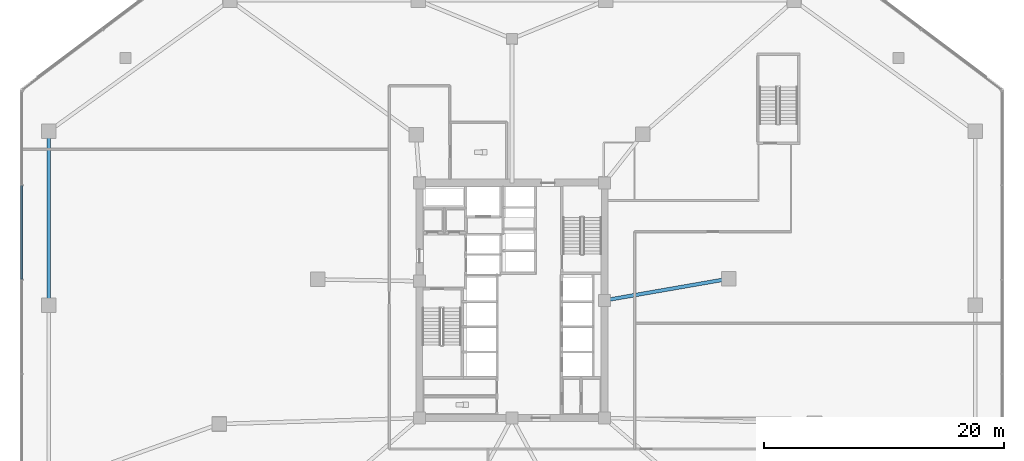
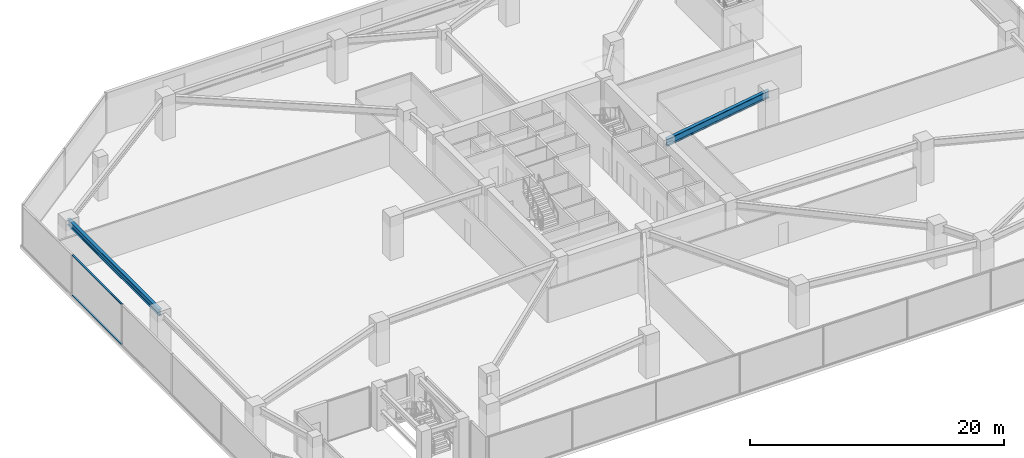
# One storey, part 5 of 21: 2 beams, 2 members, 1 element without a shape of its own.
"""IFC4 building model written with IfcOpenShell, lengths in metres."""

from ifc_helpers import new_model, si_unit, direction, frame, origin, origin_2d, place, context, subcontext, project, spatial, rectangle, i_section, extrude, material, material_profile, profile_set, type_object, element, aggregate, save


model = new_model("IFC4")

# Units and contexts
model_context = context("Model", 3, precision=1e-05, world=origin(), true_north=direction((0.0, 1.0)))
body_context = subcontext(model_context, "Body", "Model", "MODEL_VIEW")
ifc_project = project(units=[si_unit("LENGTHUNIT", "METRE"), si_unit("AREAUNIT", "SQUARE_METRE"), si_unit("VOLUMEUNIT", "CUBIC_METRE"), si_unit("PLANEANGLEUNIT", "RADIAN"), si_unit("MASSUNIT", "GRAM", prefix="KILO")], contexts=[model_context])

# Site, building, storey
site_placement = place(None, origin())
site = spatial("IfcSite", under=ifc_project, at=site_placement, CompositionType="ELEMENT")
building_placement = place(site_placement, origin())
building = spatial("IfcBuilding", under=site, at=building_placement, Name="Savorim Split Tower", CompositionType="ELEMENT")
storey_placement = place(building_placement, frame((0.0, 0.0, 9.199951171875)))
storey = spatial("IfcBuildingStorey", under=building, at=storey_placement, Name="L02", CompositionType="ELEMENT", Elevation=9.199951171875)

# Beams
ifc_material_1 = material(Name="Steel S355", Category="steel")
ifc_material_profile_1 = material_profile(ifc_material_1, i_section(OverallWidth=0.300048828125, OverallDepth=0.699951171875, WebThickness=0.01708984375, FlangeThickness=0.031982421875, FilletRadius=0.027099609375, at=origin_2d()), Name="HEB 700")
ifc_profile_set_1 = profile_set([ifc_material_profile_1], Name="Steel S355")
beam_type_1 = type_object("IfcBeamType", Name="BM-PRI-HEB700", PredefinedType="BEAM", material=ifc_profile_set_1)
beam_1_placement = place(storey_placement, frame((18.049560546875, 2.202392578125, 3.570068359375), z_axis=(-0.985170620197, -0.171577530876, 0.0), x_axis=(0.171577530876, -0.985170620197, 0.0)))
element("IfcBeam", 1, at=beam_1_placement, inside=storey, type_object=beam_type_1, Name="L02 Podium Primary Girder BG-27", PredefinedType="BEAM", context=body_context, shape_type="SweptSolid", body=[
    extrude(i_section(OverallWidth=0.300048828125, OverallDepth=0.699951171875, WebThickness=0.01708984375, FlangeThickness=0.031982421875, FilletRadius=0.027099609375, at=origin_2d()), origin(), (0.0, 0.0, 1.0), 10.50537109375),
])
ifc_material_profile_2 = material_profile(ifc_material_1, i_section(OverallWidth=0.300048828125, OverallDepth=0.590087890625, WebThickness=0.012939453125, FlangeThickness=0.02490234375, FilletRadius=0.027099609375, at=origin_2d()), Name="HEA 600")
ifc_profile_set_2 = profile_set([ifc_material_profile_2], Name="Steel S355")
beam_type_2 = type_object("IfcBeamType", Name="BM-SPN-HEA600", PredefinedType="SPANDREL", material=ifc_profile_set_2)
beam_2_placement = place(storey_placement, frame((-38.60009765625, 14.5, 3.625), z_axis=(0.0, -1.0, 0.0), x_axis=(1.0, 0.0, 0.0)))
element("IfcBeam", 2, at=beam_2_placement, inside=storey, type_object=beam_type_2, Name="L02 Podium Spandrel Beam 10", PredefinedType="SPANDREL", context=body_context, shape_type="SweptSolid", body=[
    extrude(i_section(OverallWidth=0.300048828125, OverallDepth=0.590087890625, WebThickness=0.012939453125, FlangeThickness=0.02490234375, FilletRadius=0.027099609375, at=origin_2d()), origin(), (0.0, 0.0, 1.0), 14.5),
])

# Curtain wall, members
ifc_material_2 = material(Name="Dark Ceramic-Fritted Insulated Glass", Category="glass")
curtain_wall_type = type_object("IfcCurtainWallType", Name="CW-POD-GLZ", PredefinedType="NOTDEFINED", material=ifc_material_2)
curtain_wall_placement = place(storey_placement, origin())
curtain_wall = element("IfcCurtainWall", 3, at=curtain_wall_placement, inside=storey, type_object=curtain_wall_type, Name="L02 Curtain Wall CW-L02-E10", PredefinedType="NOTDEFINED")
ifc_material_3 = material(Name="Charcoal Anodised Aluminium", Category="aluminium")
ifc_material_profile_3 = material_profile(ifc_material_3, rectangle(XDim=0.159912109375, YDim=0.06005859375, at=origin_2d()), Name="ALU-T 160x60")
ifc_profile_set_3 = profile_set([ifc_material_profile_3], Name="Charcoal Anodised Aluminium")
member_type = type_object("IfcMemberType", Name="CWT-160x60", PredefinedType="USERDEFINED", material=ifc_profile_set_3)
member_1_placement = place(storey_placement, frame((-40.840087890625, 9.9609375, 0.030029296875), z_axis=(0.0, -1.0, 0.0), x_axis=(1.0, 0.0, 0.0)))
member_1 = element("IfcMember", 4, at=member_1_placement, type_object=member_type, Name="CW-01 transom 2.1", ObjectType="TRANSOM", PredefinedType="USERDEFINED", context=body_context, shape_type="SweptSolid", body=[
    extrude(rectangle(XDim=0.159912109375, YDim=0.06005859375, at=origin_2d()), origin(), (0.0, 0.0, 1.0), 7.7939453125),
])
member_2_placement = place(storey_placement, frame((-40.840087890625, 9.9609375, 3.89013671875), z_axis=(0.0, -1.0, 0.0), x_axis=(1.0, 0.0, 0.0)))
member_2 = element("IfcMember", 5, at=member_2_placement, type_object=member_type, Name="CW-01 transom 2.2", ObjectType="TRANSOM", PredefinedType="USERDEFINED", context=body_context, shape_type="SweptSolid", body=[
    extrude(rectangle(XDim=0.159912109375, YDim=0.06005859375, at=origin_2d()), origin(), (0.0, 0.0, 1.0), 7.7939453125),
])
aggregate(curtain_wall, [member_1, member_2])

save(model, "model.ifc")
